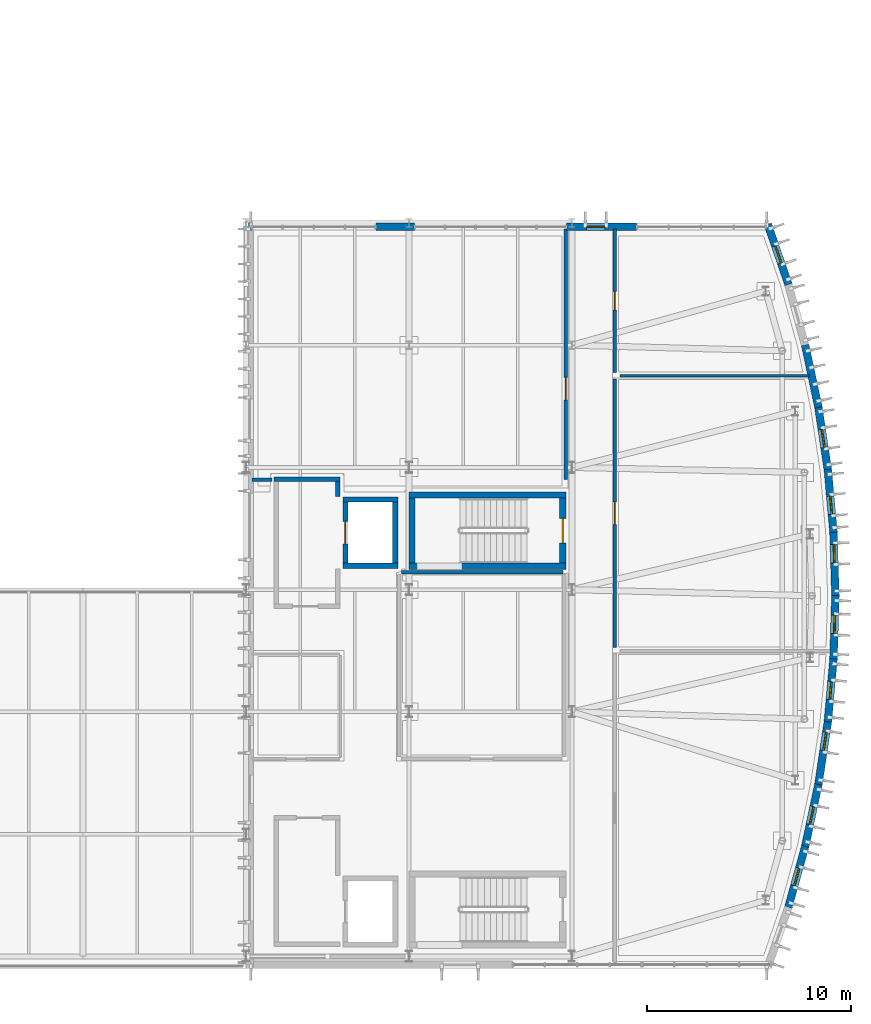
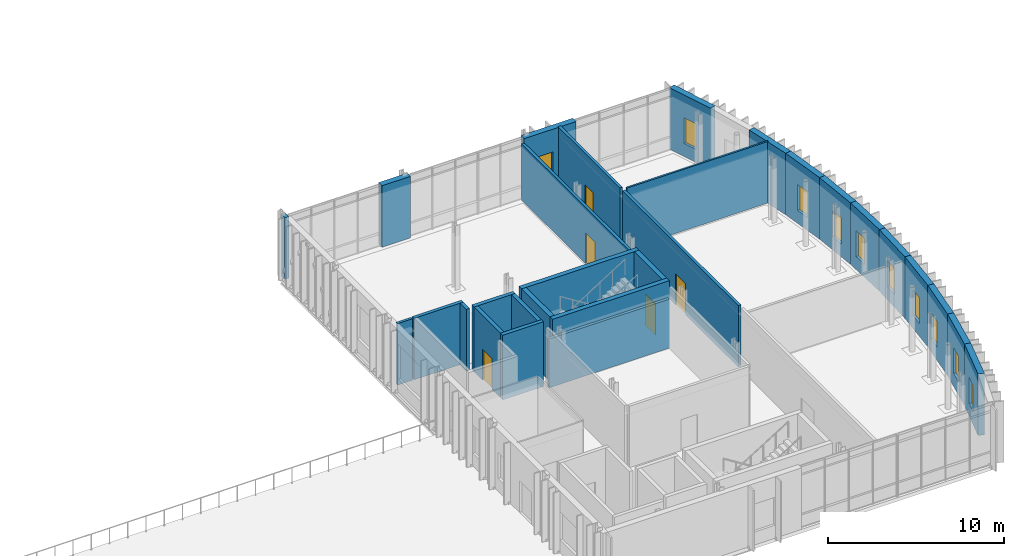
# One storey, part 46 of 62: 29 walls, 10 windows, 5 doors, 15 openings.
"""IFC4 building model written with IfcOpenShell, lengths in metres."""

from ifc_helpers import new_model, si_unit, direction, frame, frame_2d, origin, place, context, subcontext, project, spatial, rectangle, extrude, material, layer, layer_set, type_object, element, fill, save


model = new_model("IFC4")

# Units and contexts
model_context = context("Model", 3, precision=1e-05, world=origin(), true_north=direction((0.0, 1.0)))
body_context = subcontext(model_context, "Body", "Model", "MODEL_VIEW")
ifc_project = project(units=[si_unit("LENGTHUNIT", "METRE"), si_unit("AREAUNIT", "SQUARE_METRE"), si_unit("VOLUMEUNIT", "CUBIC_METRE"), si_unit("PLANEANGLEUNIT", "RADIAN"), si_unit("MASSUNIT", "GRAM", prefix="KILO")], contexts=[model_context])

# Site, building, storey
site_placement = place(None, origin())
site = spatial("IfcSite", under=ifc_project, at=site_placement, CompositionType="ELEMENT")
building_placement = place(site_placement, origin())
building = spatial("IfcBuilding", under=site, at=building_placement, Name="Cymarion Research Institute", CompositionType="ELEMENT")
storey_placement = place(building_placement, frame((0.0, 0.0, 18.300048828125)))
storey = spatial("IfcBuildingStorey", under=building, at=storey_placement, Name="L04", CompositionType="ELEMENT", Elevation=18.300048828125)

# Wall, opening, window
ifc_material_1 = material(Name="Precast concrete C40/50", Category="concrete")
ifc_layer_1 = layer(ifc_material_1, 0.3798828125)
ifc_layer_set_1 = layer_set([ifc_layer_1], Name="Precast concrete C40/50")
wall_type_1 = type_object("IfcWallType", Name="EXTERIOR WALL EW-PC380 380MM", PredefinedType="SOLIDWALL", material=ifc_layer_set_1)
wall_1_placement = place(storey_placement, frame((165.222412109375, 7.8876953125, 0.0), z_axis=(0.0, 0.0, 1.0), x_axis=(0.266536691105, 0.963824772609, 0.0)))
wall_1 = element("IfcWall", 1, at=wall_1_placement, inside=storey, type_object=wall_type_1, Name="L04 V1 exterior wall EW-PC380 #197", PredefinedType="SOLIDWALL", context=body_context, shape_type="SweptSolid", body=[
    extrude(rectangle(XDim=3.1279296875, YDim=0.3798828125, at=frame_2d((1.56396484375, 0.0))), origin(), (0.0, 0.0, 1.0), 4.280029296875),
])
opening_1_placement = place(wall_1_placement, frame((1.114013671875, 0.0, 0.89990234375)))
opening_1 = element("IfcOpeningElement", 2, at=opening_1_placement, cuts=wall_1, Name="Opening W24", PredefinedType="OPENING", context=body_context, shape_type="SweptSolid", body=[
    extrude(rectangle(XDim=0.89990234375, YDim=1.800048828125, at=frame_2d((0.449951171875, 0.89990234375))), frame((0.0, 0.199951171875, 0.0), z_axis=(0.0, -1.0, 0.0), x_axis=(1.0, 0.0, 0.0)), (0.0, 0.0, 1.0), 0.39990234375),
])
ifc_material_2 = material(Name="Thermally broken aluminium window with Low-E glazing", Category="aluminium")
window_type = type_object("IfcWindowType", Name="THERMALLY BROKEN ALUMINIUM WINDOW W24 900X1800", PartitioningType="SINGLE_PANEL", PredefinedType="WINDOW", material=ifc_material_2)
window_1_placement = place(opening_1_placement, origin())
window_1 = element("IfcWindow", 3, at=window_1_placement, inside=storey, type_object=window_type, Name="L04 V1 facade window W24 #365", OverallHeight=1.800048828125, OverallWidth=0.89990234375, PartitioningType="SINGLE_PANEL", PredefinedType="WINDOW", context=body_context, shape_type="SweptSolid", body=[
    extrude(rectangle(XDim=0.89990234375, YDim=1.800048828125, at=frame_2d((0.449951171875, 0.89990234375))), frame((0.0, 0.030029296875, 0.0), z_axis=(0.0, -1.0, 0.0), x_axis=(1.0, 0.0, 0.0)), (0.0, 0.0, 1.0), 0.06005859375),
])
fill(opening_1, window_1)

wall_2_placement = place(storey_placement, frame((166.05078125, 10.8798828125, 0.0), z_axis=(0.0, 0.0, 1.0), x_axis=(0.208287141705, 0.978067720866, 0.0)))
wall_2 = element("IfcWall", 4, at=wall_2_placement, inside=storey, type_object=wall_type_1, Name="L04 V1 exterior wall EW-PC380 #198", PredefinedType="SOLIDWALL", context=body_context, shape_type="SweptSolid", body=[
    extrude(rectangle(XDim=3.12841796875, YDim=0.3798828125, at=frame_2d((1.564208984375, 0.0))), origin(), (0.0, 0.0, 1.0), 4.280029296875),
])
opening_2_placement = place(wall_2_placement, frame((1.114013671875, 0.0, 0.89990234375)))
opening_2 = element("IfcOpeningElement", 5, at=opening_2_placement, cuts=wall_2, Name="Opening W24", PredefinedType="OPENING", context=body_context, shape_type="SweptSolid", body=[
    extrude(rectangle(XDim=0.89990234375, YDim=1.800048828125, at=frame_2d((0.449951171875, 0.89990234375))), frame((0.0, 0.199951171875, 0.0), z_axis=(0.0, -1.0, 0.0), x_axis=(1.0, 0.0, 0.0)), (0.0, 0.0, 1.0), 0.39990234375),
])
window_2_placement = place(opening_2_placement, origin())
window_2 = element("IfcWindow", 6, at=window_2_placement, inside=storey, type_object=window_type, Name="L04 V1 facade window W24 #366", OverallHeight=1.800048828125, OverallWidth=0.89990234375, PartitioningType="SINGLE_PANEL", PredefinedType="WINDOW", context=body_context, shape_type="SweptSolid", body=[
    extrude(rectangle(XDim=0.89990234375, YDim=1.800048828125, at=frame_2d((0.449951171875, 0.89990234375))), frame((0.0, 0.030029296875, 0.0), z_axis=(0.0, -1.0, 0.0), x_axis=(1.0, 0.0, 0.0)), (0.0, 0.0, 1.0), 0.06005859375),
])
fill(opening_2, window_2)

wall_3_placement = place(storey_placement, frame((166.698486328125, 13.91650390625, 0.0), z_axis=(0.0, 0.0, 1.0), x_axis=(0.149218139282, 0.988804301624, 0.0)))
wall_3 = element("IfcWall", 7, at=wall_3_placement, inside=storey, type_object=wall_type_1, Name="L04 V1 exterior wall EW-PC380 #199", PredefinedType="SOLIDWALL", context=body_context, shape_type="SweptSolid", body=[
    extrude(rectangle(XDim=3.128173828125, YDim=0.3798828125, at=frame_2d((1.56396484375, 0.0))), origin(), (0.0, 0.0, 1.0), 4.280029296875),
])
opening_3_placement = place(wall_3_placement, frame((1.7060546875, 0.0, 0.89990234375)))
opening_3 = element("IfcOpeningElement", 8, at=opening_3_placement, cuts=wall_3, Name="Opening W24", PredefinedType="OPENING", context=body_context, shape_type="SweptSolid", body=[
    extrude(rectangle(XDim=0.89990234375, YDim=1.800048828125, at=frame_2d((0.449951171875, 0.89990234375))), frame((0.0, 0.199951171875, 0.0), z_axis=(0.0, -1.0, 0.0), x_axis=(1.0, 0.0, 0.0)), (0.0, 0.0, 1.0), 0.39990234375),
])
window_3_placement = place(opening_3_placement, origin())
window_3 = element("IfcWindow", 9, at=window_3_placement, inside=storey, type_object=window_type, Name="L04 V1 facade window W24 #367", OverallHeight=1.800048828125, OverallWidth=0.89990234375, PartitioningType="SINGLE_PANEL", PredefinedType="WINDOW", context=body_context, shape_type="SweptSolid", body=[
    extrude(rectangle(XDim=0.89990234375, YDim=1.800048828125, at=frame_2d((0.449951171875, 0.89990234375))), frame((0.0, 0.030029296875, 0.0), z_axis=(0.0, -1.0, 0.0), x_axis=(1.0, 0.0, 0.0)), (0.0, 0.0, 1.0), 0.06005859375),
])
fill(opening_3, window_3)

wall_4_placement = place(storey_placement, frame((167.1630859375, 16.986572265625, 0.0), z_axis=(0.0, 0.0, 1.0), x_axis=(0.089747627339, 0.995964539222, 0.0)))
wall_4 = element("IfcWall", 10, at=wall_4_placement, inside=storey, type_object=wall_type_1, Name="L04 V1 exterior wall EW-PC380 #200", PredefinedType="SOLIDWALL", context=body_context, shape_type="SweptSolid", body=[
    extrude(rectangle(XDim=3.12841796875, YDim=0.3798828125, at=frame_2d((1.564208984375, 0.0))), origin(), (0.0, 0.0, 1.0), 4.280029296875),
])
opening_4_placement = place(wall_4_placement, frame((1.114013671875, 0.0, 0.89990234375)))
opening_4 = element("IfcOpeningElement", 11, at=opening_4_placement, cuts=wall_4, Name="Opening W24", PredefinedType="OPENING", context=body_context, shape_type="SweptSolid", body=[
    extrude(rectangle(XDim=0.89990234375, YDim=1.800048828125, at=frame_2d((0.449951171875, 0.89990234375))), frame((0.0, 0.199951171875, 0.0), z_axis=(0.0, -1.0, 0.0), x_axis=(1.0, 0.0, 0.0)), (0.0, 0.0, 1.0), 0.39990234375),
])
window_4_placement = place(opening_4_placement, origin())
window_4 = element("IfcWindow", 12, at=window_4_placement, inside=storey, type_object=window_type, Name="L04 V1 facade window W24 #368", OverallHeight=1.800048828125, OverallWidth=0.89990234375, PartitioningType="SINGLE_PANEL", PredefinedType="WINDOW", context=body_context, shape_type="SweptSolid", body=[
    extrude(rectangle(XDim=0.89990234375, YDim=1.800048828125, at=frame_2d((0.449951171875, 0.89990234375))), frame((0.0, 0.030029296875, 0.0), z_axis=(0.0, -1.0, 0.0), x_axis=(1.0, 0.0, 0.0)), (0.0, 0.0, 1.0), 0.06005859375),
])
fill(opening_4, window_4)

wall_5_placement = place(storey_placement, frame((167.44287109375, 20.078857421875, 0.0), z_axis=(0.0, 0.0, 1.0), x_axis=(0.02996779607, 0.999550864738, 0.0)))
wall_5 = element("IfcWall", 13, at=wall_5_placement, inside=storey, type_object=wall_type_1, Name="L04 V1 exterior wall EW-PC380 #201", PredefinedType="SOLIDWALL", context=body_context, shape_type="SweptSolid", body=[
    extrude(rectangle(XDim=3.12841796875, YDim=0.3798828125, at=frame_2d((1.564208984375, 0.0))), origin(), (0.0, 0.0, 1.0), 4.280029296875),
])
opening_5_placement = place(wall_5_placement, frame((1.264892578125, 0.0, 0.89990234375)))
opening_5 = element("IfcOpeningElement", 14, at=opening_5_placement, cuts=wall_5, Name="Opening W24", PredefinedType="OPENING", context=body_context, shape_type="SweptSolid", body=[
    extrude(rectangle(XDim=0.89990234375, YDim=1.800048828125, at=frame_2d((0.449951171875, 0.89990234375))), frame((0.0, 0.199951171875, 0.0), z_axis=(0.0, -1.0, 0.0), x_axis=(1.0, 0.0, 0.0)), (0.0, 0.0, 1.0), 0.39990234375),
])
window_5_placement = place(opening_5_placement, origin())
window_5 = element("IfcWindow", 15, at=window_5_placement, inside=storey, type_object=window_type, Name="L04 V1 facade window W24 #369", OverallHeight=1.800048828125, OverallWidth=0.89990234375, PartitioningType="SINGLE_PANEL", PredefinedType="WINDOW", context=body_context, shape_type="SweptSolid", body=[
    extrude(rectangle(XDim=0.89990234375, YDim=1.800048828125, at=frame_2d((0.449951171875, 0.89990234375))), frame((0.0, 0.030029296875, 0.0), z_axis=(0.0, -1.0, 0.0), x_axis=(1.0, 0.0, 0.0)), (0.0, 0.0, 1.0), 0.06005859375),
])
fill(opening_5, window_5)

wall_6_placement = place(storey_placement, frame((167.536865234375, 23.182373046875, 0.0), z_axis=(0.0, 0.0, 1.0), x_axis=(-0.029970133922, 0.999550794644, 0.0)))
wall_6 = element("IfcWall", 16, at=wall_6_placement, inside=storey, type_object=wall_type_1, Name="L04 V1 exterior wall EW-PC380 #202", PredefinedType="SOLIDWALL", context=body_context, shape_type="SweptSolid", body=[
    extrude(rectangle(XDim=3.128173828125, YDim=0.3798828125, at=frame_2d((1.56396484375, 0.0))), origin(), (0.0, 0.0, 1.0), 4.280029296875),
])
opening_6_placement = place(wall_6_placement, frame((1.637939453125, 0.0, 0.89990234375)))
opening_6 = element("IfcOpeningElement", 17, at=opening_6_placement, cuts=wall_6, Name="Opening W24", PredefinedType="OPENING", context=body_context, shape_type="SweptSolid", body=[
    extrude(rectangle(XDim=0.89990234375, YDim=1.800048828125, at=frame_2d((0.449951171875, 0.89990234375))), frame((0.0, 0.199951171875, 0.0), z_axis=(0.0, -1.0, 0.0), x_axis=(1.0, 0.0, 0.0)), (0.0, 0.0, 1.0), 0.39990234375),
])
window_6_placement = place(opening_6_placement, origin())
window_6 = element("IfcWindow", 18, at=window_6_placement, inside=storey, type_object=window_type, Name="L04 V1 facade window W24 #370", OverallHeight=1.800048828125, OverallWidth=0.89990234375, PartitioningType="SINGLE_PANEL", PredefinedType="WINDOW", context=body_context, shape_type="SweptSolid", body=[
    extrude(rectangle(XDim=0.89990234375, YDim=1.800048828125, at=frame_2d((0.449951171875, 0.89990234375))), frame((0.0, 0.030029296875, 0.0), z_axis=(0.0, -1.0, 0.0), x_axis=(1.0, 0.0, 0.0)), (0.0, 0.0, 1.0), 0.06005859375),
])
fill(opening_6, window_6)

wall_7_placement = place(storey_placement, frame((167.44482421875, 26.285888671875, 0.0), z_axis=(0.0, 0.0, 1.0), x_axis=(-0.089747627339, 0.995964539222, 0.0)))
wall_7 = element("IfcWall", 19, at=wall_7_placement, inside=storey, type_object=wall_type_1, Name="L04 V1 exterior wall EW-PC380 #203", PredefinedType="SOLIDWALL", context=body_context, shape_type="SweptSolid", body=[
    extrude(rectangle(XDim=3.12841796875, YDim=0.3798828125, at=frame_2d((1.564208984375, 0.0))), origin(), (0.0, 0.0, 1.0), 4.280029296875),
])
opening_7_placement = place(wall_7_placement, frame((0.91796875, 0.0, 0.89990234375)))
opening_7 = element("IfcOpeningElement", 20, at=opening_7_placement, cuts=wall_7, Name="Opening W24", PredefinedType="OPENING", context=body_context, shape_type="SweptSolid", body=[
    extrude(rectangle(XDim=0.89990234375, YDim=1.800048828125, at=frame_2d((0.449951171875, 0.89990234375))), frame((0.0, 0.199951171875, 0.0), z_axis=(0.0, -1.0, 0.0), x_axis=(1.0, 0.0, 0.0)), (0.0, 0.0, 1.0), 0.39990234375),
])
window_7_placement = place(opening_7_placement, origin())
window_7 = element("IfcWindow", 21, at=window_7_placement, inside=storey, type_object=window_type, Name="L04 V1 facade window W24 #371", OverallHeight=1.800048828125, OverallWidth=0.89990234375, PartitioningType="SINGLE_PANEL", PredefinedType="WINDOW", context=body_context, shape_type="SweptSolid", body=[
    extrude(rectangle(XDim=0.89990234375, YDim=1.800048828125, at=frame_2d((0.449951171875, 0.89990234375))), frame((0.0, 0.030029296875, 0.0), z_axis=(0.0, -1.0, 0.0), x_axis=(1.0, 0.0, 0.0)), (0.0, 0.0, 1.0), 0.06005859375),
])
fill(opening_7, window_7)

wall_8_placement = place(storey_placement, frame((167.167236328125, 29.37841796875, 0.0), z_axis=(0.0, 0.0, 1.0), x_axis=(-0.149305964746, 0.988791044099, 0.0)))
wall_8 = element("IfcWall", 22, at=wall_8_placement, inside=storey, type_object=wall_type_1, Name="L04 V1 exterior wall EW-PC380 #204", PredefinedType="SOLIDWALL", context=body_context, shape_type="SweptSolid", body=[
    extrude(rectangle(XDim=3.128173828125, YDim=0.3798828125, at=frame_2d((1.56396484375, 0.0))), origin(), (0.0, 0.0, 1.0), 4.280029296875),
])
opening_8_placement = place(wall_8_placement, frame((1.114013671875, 0.0, 0.89990234375)))
opening_8 = element("IfcOpeningElement", 23, at=opening_8_placement, cuts=wall_8, Name="Opening W24", PredefinedType="OPENING", context=body_context, shape_type="SweptSolid", body=[
    extrude(rectangle(XDim=0.89990234375, YDim=1.800048828125, at=frame_2d((0.449951171875, 0.89990234375))), frame((0.0, 0.199951171875, 0.0), z_axis=(0.0, -1.0, 0.0), x_axis=(1.0, 0.0, 0.0)), (0.0, 0.0, 1.0), 0.39990234375),
])
window_8_placement = place(opening_8_placement, origin())
window_8 = element("IfcWindow", 24, at=window_8_placement, inside=storey, type_object=window_type, Name="L04 V1 facade window W24 #372", OverallHeight=1.800048828125, OverallWidth=0.89990234375, PartitioningType="SINGLE_PANEL", PredefinedType="WINDOW", context=body_context, shape_type="SweptSolid", body=[
    extrude(rectangle(XDim=0.89990234375, YDim=1.800048828125, at=frame_2d((0.449951171875, 0.89990234375))), frame((0.0, 0.030029296875, 0.0), z_axis=(0.0, -1.0, 0.0), x_axis=(1.0, 0.0, 0.0)), (0.0, 0.0, 1.0), 0.06005859375),
])
fill(opening_8, window_8)

# Wall
wall_9_placement = place(storey_placement, frame((166.704833984375, 32.448486328125, 0.0), z_axis=(0.0, 0.0, 1.0), x_axis=(-0.208212486116, 0.978083616377, 0.0)))
element("IfcWall", 25, at=wall_9_placement, inside=storey, type_object=wall_type_1, Name="L04 V1 exterior wall EW-PC380 #205", PredefinedType="SOLIDWALL", context=body_context, shape_type="SweptSolid", body=[
    extrude(rectangle(XDim=3.12841796875, YDim=0.3798828125, at=frame_2d((1.564208984375, 0.0))), origin(), (0.0, 0.0, 1.0), 4.280029296875),
])

# Wall, opening, window
wall_10_placement = place(storey_placement, frame((165.23291015625, 38.478515625, 0.0), z_axis=(0.0, 0.0, 1.0), x_axis=(-0.323709741108, 0.946156437124, 0.0)))
wall_10 = element("IfcWall", 26, at=wall_10_placement, inside=storey, type_object=wall_type_1, Name="L04 V1 exterior wall EW-PC380 #207", PredefinedType="SOLIDWALL", context=body_context, shape_type="SweptSolid", body=[
    extrude(rectangle(XDim=3.12841796875, YDim=0.3798828125, at=frame_2d((1.564208984375, 0.0))), origin(), (0.0, 0.0, 1.0), 4.280029296875),
])
opening_9_placement = place(wall_10_placement, frame((1.114013671875, 0.0, 0.89990234375)))
opening_9 = element("IfcOpeningElement", 27, at=opening_9_placement, cuts=wall_10, Name="Opening W24", PredefinedType="OPENING", context=body_context, shape_type="SweptSolid", body=[
    extrude(rectangle(XDim=0.89990234375, YDim=1.800048828125, at=frame_2d((0.449951171875, 0.89990234375))), frame((0.0, 0.199951171875, 0.0), z_axis=(0.0, -1.0, 0.0), x_axis=(1.0, 0.0, 0.0)), (0.0, 0.0, 1.0), 0.39990234375),
])
window_9_placement = place(opening_9_placement, origin())
window_9 = element("IfcWindow", 28, at=window_9_placement, inside=storey, type_object=window_type, Name="L04 V1 facade window W24 #374", OverallHeight=1.800048828125, OverallWidth=0.89990234375, PartitioningType="SINGLE_PANEL", PredefinedType="WINDOW", context=body_context, shape_type="SweptSolid", body=[
    extrude(rectangle(XDim=0.89990234375, YDim=1.800048828125, at=frame_2d((0.449951171875, 0.89990234375))), frame((0.0, 0.030029296875, 0.0), z_axis=(0.0, -1.0, 0.0), x_axis=(1.0, 0.0, 0.0)), (0.0, 0.0, 1.0), 0.06005859375),
])
fill(opening_9, window_9)

wall_11_placement = place(storey_placement, frame((157.759765625, 41.31005859375, 0.0), z_axis=(0.0, 0.0, 1.0), x_axis=(-1.0, 0.0, 0.0)))
wall_11 = element("IfcWall", 29, at=wall_11_placement, inside=storey, type_object=wall_type_1, Name="L04 V1 facade pier wall EW-PC380 #208", PredefinedType="SOLIDWALL", context=body_context, shape_type="SweptSolid", body=[
    extrude(rectangle(XDim=3.419677734375, YDim=0.3798828125, at=frame_2d((1.7099609375, 0.0))), origin(), (0.0, 0.0, 1.0), 4.280029296875),
])
opening_10_placement = place(wall_11_placement, frame((1.5400390625, 0.0, 0.89990234375)))
opening_10 = element("IfcOpeningElement", 30, at=opening_10_placement, cuts=wall_11, Name="Opening W24", PredefinedType="OPENING", context=body_context, shape_type="SweptSolid", body=[
    extrude(rectangle(XDim=0.89990234375, YDim=1.800048828125, at=frame_2d((0.449951171875, 0.89990234375))), frame((0.0, 0.199951171875, 0.0), z_axis=(0.0, -1.0, 0.0), x_axis=(1.0, 0.0, 0.0)), (0.0, 0.0, 1.0), 0.39990234375),
])
window_10_placement = place(opening_10_placement, origin())
window_10 = element("IfcWindow", 31, at=window_10_placement, inside=storey, type_object=window_type, Name="L04 V1 facade window W24 #375", OverallHeight=1.800048828125, OverallWidth=0.89990234375, PartitioningType="SINGLE_PANEL", PredefinedType="WINDOW", context=body_context, shape_type="SweptSolid", body=[
    extrude(rectangle(XDim=0.89990234375, YDim=1.800048828125, at=frame_2d((0.449951171875, 0.89990234375))), frame((0.0, 0.030029296875, 0.0), z_axis=(0.0, -1.0, 0.0), x_axis=(1.0, 0.0, 0.0)), (0.0, 0.0, 1.0), 0.06005859375),
])
fill(opening_10, window_10)

# Walls
wall_12_placement = place(storey_placement, frame((146.860107421875, 41.31005859375, 0.0), z_axis=(0.0, 0.0, 1.0), x_axis=(-1.0, 0.0, 0.0)))
element("IfcWall", 32, at=wall_12_placement, inside=storey, type_object=wall_type_1, Name="L04 V1 facade pier wall EW-PC380 #209", PredefinedType="SOLIDWALL", context=body_context, shape_type="SweptSolid", body=[
    extrude(rectangle(XDim=1.87353515625, YDim=0.3798828125, at=frame_2d((0.936767578125, 0.0))), origin(), (0.0, 0.0, 1.0), 4.280029296875),
])
wall_13_placement = place(storey_placement, frame((138.860107421875, 41.31005859375, 0.0), z_axis=(0.0, 0.0, 1.0), x_axis=(-1.0, 0.0, 0.0)))
element("IfcWall", 33, at=wall_13_placement, inside=storey, type_object=wall_type_1, Name="L04 V1 facade pier wall EW-PC380 #210", PredefinedType="SOLIDWALL", context=body_context, shape_type="SweptSolid", body=[
    extrude(rectangle(XDim=0.260009765625, YDim=0.3798828125, at=frame_2d((0.1298828125, 0.0))), origin(), (0.0, 0.0, 1.0), 4.280029296875),
])

# Wall, opening, door
ifc_material_3 = material(Name="Moisture-resistant laboratory partition", Category="gypsum")
ifc_layer_2 = layer(ifc_material_3, 0.179931640625)
ifc_layer_set_2 = layer_set([ifc_layer_2], Name="Moisture-resistant laboratory partition")
wall_type_2 = type_object("IfcWallType", Name="INTERIOR PARTITION IW-LB180 180MM", PredefinedType="PARTITIONING", material=ifc_layer_set_2)
wall_14_placement = place(storey_placement, frame((156.699951171875, 20.659912109375, 0.0), z_axis=(0.0, 0.0, 1.0), x_axis=(0.0, 1.0, 0.0)))
wall_14 = element("IfcWall", 34, at=wall_14_placement, inside=storey, type_object=wall_type_2, Name="L04 V1 interior partition IW-LB180 #269", PredefinedType="PARTITIONING", context=body_context, shape_type="SweptSolid", body=[
    extrude(rectangle(XDim=13.18017578125, YDim=0.179931640625, at=frame_2d((6.590087890625, 0.0))), origin(), (0.0, 0.0, 1.0), 4.280029296875),
])
opening_11_placement = place(wall_14_placement, frame((6.0400390625, 0.0, 0.0)))
opening_11 = element("IfcOpeningElement", 35, at=opening_11_placement, cuts=wall_14, Name="Opening D-L04-172", PredefinedType="OPENING", context=body_context, shape_type="SweptSolid", body=[
    extrude(rectangle(XDim=1.10009765625, YDim=2.14990234375, at=frame_2d((0.550048828125, 1.074951171875))), frame((0.0, 0.099853515625, 0.0), z_axis=(0.0, -1.0, 0.0), x_axis=(1.0, 0.0, 0.0)), (0.0, 0.0, 1.0), 0.199951171875),
])
ifc_material_4 = material(Name="Flush acoustic timber/steel door assembly", Category="steel")
door_type_1 = type_object("IfcDoorType", Name="LABORATORY WIDE SINGLE DOOR DT-LB110 1100X2150", OperationType="NOTDEFINED", PredefinedType="DOOR", material=ifc_material_4)
door_1_placement = place(opening_11_placement, origin())
door_1 = element("IfcDoor", 36, at=door_1_placement, inside=storey, type_object=door_type_1, Name="L04 Prow Lab M door D-L04-172", OperationType="SINGLE_SWING_LEFT", OverallHeight=2.14990234375, OverallWidth=1.10009765625, PredefinedType="DOOR", context=body_context, shape_type="SweptSolid", body=[
    extrude(rectangle(XDim=1.10009765625, YDim=2.14990234375, at=frame_2d((0.550048828125, 1.074951171875))), frame((0.0, 0.02490234375, 0.0), z_axis=(0.0, -1.0, 0.0), x_axis=(1.0, 0.0, 0.0)), (0.0, 0.0, 1.0), 0.050048828125),
])
fill(opening_11, door_1)

wall_15_placement = place(storey_placement, frame((156.699951171875, 34.159912109375, 0.0), z_axis=(0.0, 0.0, 1.0), x_axis=(0.0, 1.0, 0.0)))
wall_15 = element("IfcWall", 37, at=wall_15_placement, inside=storey, type_object=wall_type_2, Name="L04 V1 interior partition IW-LB180 #270", PredefinedType="PARTITIONING", context=body_context, shape_type="SweptSolid", body=[
    extrude(rectangle(XDim=7.03515625, YDim=0.179931640625, at=frame_2d((3.517578125, 0.0))), origin(), (0.0, 0.0, 1.0), 4.280029296875),
])
opening_12_placement = place(wall_15_placement, frame((3.06689453125, 0.0, 0.0)))
opening_12 = element("IfcOpeningElement", 38, at=opening_12_placement, cuts=wall_15, Name="Opening D-L04-173", PredefinedType="OPENING", context=body_context, shape_type="SweptSolid", body=[
    extrude(rectangle(XDim=0.89990234375, YDim=2.10009765625, at=frame_2d((0.449951171875, 1.050048828125))), frame((0.0, 0.099853515625, 0.0), z_axis=(0.0, -1.0, 0.0), x_axis=(1.0, 0.0, 0.0)), (0.0, 0.0, 1.0), 0.199951171875),
])
door_type_2 = type_object("IfcDoorType", Name="ACCESSIBLE RESTROOM DOOR DT-WC090 900X2100", OperationType="NOTDEFINED", PredefinedType="DOOR", material=ifc_material_4)
door_2_placement = place(opening_12_placement, origin())
door_2 = element("IfcDoor", 39, at=door_2_placement, inside=storey, type_object=door_type_2, Name="L04 Accessible WC door D-L04-173", OperationType="SINGLE_SWING_RIGHT", OverallHeight=2.10009765625, OverallWidth=0.89990234375, PredefinedType="DOOR", context=body_context, shape_type="SweptSolid", body=[
    extrude(rectangle(XDim=0.89990234375, YDim=2.10009765625, at=frame_2d((0.449951171875, 1.050048828125))), frame((0.0, 0.02490234375, 0.0), z_axis=(0.0, -1.0, 0.0), x_axis=(1.0, 0.0, 0.0)), (0.0, 0.0, 1.0), 0.050048828125),
])
fill(opening_12, door_2)

# Walls
wall_16_placement = place(storey_placement, frame((146.239990234375, 24.35009765625, 0.0), z_axis=(0.0, 0.0, 1.0), x_axis=(1.0, 0.0, 0.0)))
element("IfcWall", 40, at=wall_16_placement, inside=storey, type_object=wall_type_2, Name="L04 V1 interior partition IW-LB180 #275", PredefinedType="PARTITIONING", context=body_context, shape_type="SweptSolid", body=[
    extrude(rectangle(XDim=7.909912109375, YDim=0.179931640625, at=frame_2d((3.955078125, 0.0))), origin(), (0.0, 0.0, 1.0), 3.409912109375),
])
wall_17_placement = place(storey_placement, frame((138.905029296875, 28.89990234375, 0.0), z_axis=(0.0, 0.0, 1.0), x_axis=(1.0, 0.0, 0.0)))
element("IfcWall", 41, at=wall_17_placement, inside=storey, type_object=wall_type_2, Name="L04 V1 interior partition IW-LB180 #278", PredefinedType="PARTITIONING", context=body_context, shape_type="SweptSolid", body=[
    extrude(rectangle(XDim=0.974853515625, YDim=0.179931640625, at=frame_2d((0.4873046875, 0.0))), origin(), (0.0, 0.0, 1.0), 4.280029296875),
])

# Wall, opening, door
wall_18_placement = place(storey_placement, frame((154.300048828125, 28.89990234375, 0.0), z_axis=(0.0, 0.0, 1.0), x_axis=(0.0, 1.0, 0.0)))
wall_18 = element("IfcWall", 42, at=wall_18_placement, inside=storey, type_object=wall_type_2, Name="L04 V1 interior partition IW-LB180 #279", PredefinedType="PARTITIONING", context=body_context, shape_type="SweptSolid", body=[
    extrude(rectangle(XDim=12.295166015625, YDim=0.179931640625, at=frame_2d((6.1474609375, 0.0))), origin(), (0.0, 0.0, 1.0), 3.929931640625),
])
opening_13_placement = place(wall_18_placement, frame((3.91796875, 0.0, 0.0)))
opening_13 = element("IfcOpeningElement", 43, at=opening_13_placement, cuts=wall_18, Name="Opening D-L04-176", PredefinedType="OPENING", context=body_context, shape_type="SweptSolid", body=[
    extrude(rectangle(XDim=1.10009765625, YDim=2.14990234375, at=frame_2d((0.550048828125, 1.074951171875))), frame((0.0, 0.099853515625, 0.0), z_axis=(0.0, -1.0, 0.0), x_axis=(1.0, 0.0, 0.0)), (0.0, 0.0, 1.0), 0.199951171875),
])
door_3_placement = place(opening_13_placement, origin())
door_3 = element("IfcDoor", 44, at=door_3_placement, inside=storey, type_object=door_type_1, Name="L04 North Genomics Lab door D-L04-176", OperationType="SINGLE_SWING_LEFT", OverallHeight=2.14990234375, OverallWidth=1.10009765625, PredefinedType="DOOR", context=body_context, shape_type="SweptSolid", body=[
    extrude(rectangle(XDim=1.10009765625, YDim=2.14990234375, at=frame_2d((0.550048828125, 1.074951171875))), frame((0.0, 0.02490234375, 0.0), z_axis=(0.0, -1.0, 0.0), x_axis=(1.0, 0.0, 0.0)), (0.0, 0.0, 1.0), 0.050048828125),
])
fill(opening_13, door_3)

# Walls
ifc_material_5 = material(Name="Service riser shaft wall", Category="gypsum")
ifc_layer_3 = layer(ifc_material_5, 0.1201171875)
ifc_layer_set_3 = layer_set([ifc_layer_3], Name="Service riser shaft wall")
wall_type_3 = type_object("IfcWallType", Name="INTERIOR PARTITION IW-SH120 120MM", PredefinedType="PARTITIONING", material=ifc_layer_set_3)
wall_19_placement = place(storey_placement, frame((156.949951171875, 34.0, 0.0), z_axis=(0.0, 0.0, 1.0), x_axis=(1.0, 0.0, 0.0)))
element("IfcWall", 45, at=wall_19_placement, inside=storey, type_object=wall_type_3, Name="L04 V1 interior partition IW-SH120 #267", PredefinedType="PARTITIONING", context=body_context, shape_type="SweptSolid", body=[
    extrude(rectangle(XDim=9.306884765625, YDim=0.1201171875, at=frame_2d((4.6533203125, 0.0))), origin(), (0.0, 0.0, 1.0), 4.280029296875),
])
ifc_material_6 = material(Name="Concrete C40/50", Category="concrete")
ifc_layer_4 = layer(ifc_material_6, 0.219970703125)
ifc_layer_set_4 = layer_set([ifc_layer_4], Name="Concrete C40/50")
wall_type_4 = type_object("IfcWallType", Name="REINFORCED CONCRETE CORE WALL CW-FF220 220MM", PredefinedType="SOLIDWALL", material=ifc_layer_set_4)
wall_20_placement = place(storey_placement, frame((143.219970703125, 28.909912109375, 0.0), z_axis=(0.0, 0.0, 1.0), x_axis=(-1.0, 0.0, 0.0)))
element("IfcWall", 46, at=wall_20_placement, inside=storey, type_object=wall_type_4, Name="L04 FFL-LF2-L04 north core wall", PredefinedType="SOLIDWALL", context=body_context, shape_type="SweptSolid", body=[
    extrude(rectangle(XDim=3.239990234375, YDim=0.219970703125, at=frame_2d((1.6201171875, 0.0))), origin(), (0.0, 0.0, 1.0), 4.280029296875),
])
wall_21_placement = place(storey_placement, frame((143.110107421875, 28.080078125, 0.0), z_axis=(0.0, 0.0, 1.0), x_axis=(0.0, 1.0, 0.0)))
element("IfcWall", 47, at=wall_21_placement, inside=storey, type_object=wall_type_4, Name="Core C2 firefighting lobby east closure wall L04 #2", PredefinedType="SOLIDWALL", context=body_context, shape_type="SweptSolid", body=[
    extrude(rectangle(XDim=0.719970703125, YDim=0.219970703125, at=frame_2d((0.35986328125, 0.0))), origin(), (0.0, 0.0, 1.0), 4.280029296875),
])
ifc_layer_5 = layer(ifc_material_6, 0.25)
ifc_layer_set_5 = layer_set([ifc_layer_5], Name="Concrete C40/50")
wall_type_5 = type_object("IfcWallType", Name="REINFORCED CONCRETE CORE WALL CW-SH250 250MM", PredefinedType="SHEAR", material=ifc_layer_set_5)
for number, where, z_axis, x_axis, name in (
    (48, (143.35009765625, 24.675048828125, 0.0), (0.0, 0.0, 1.0), (1.0, 0.0, 0.0), "L04 LSH-LF2-L04 south core wall"),
    (49, (146.050048828125, 27.925048828125, 0.0), (0.0, 0.0, 1.0), (-1.0, 0.0, 0.0), "L04 LSH-LF2-L04 north core wall"),
):
    element("IfcWall", number, at=place(storey_placement, frame(where, z_axis=z_axis, x_axis=x_axis)), inside=storey, type_object=wall_type_5, Name=name, PredefinedType="SHEAR", context=body_context, shape_type="SweptSolid", body=[
        extrude(rectangle(XDim=2.699951171875, YDim=0.25, at=frame_2d((1.35009765625, 0.0))), origin(), (0.0, 0.0, 1.0), 4.5),
    ])

# Wall, opening, door
wall_22_placement = place(storey_placement, frame((143.47509765625, 27.800048828125, 0.0), z_axis=(0.0, 0.0, 1.0), x_axis=(0.0, -1.0, 0.0)))
wall_22 = element("IfcWall", 50, at=wall_22_placement, inside=storey, type_object=wall_type_5, Name="L04 LSH-LF2-L04 west core wall", PredefinedType="SHEAR", context=body_context, shape_type="SweptSolid", body=[
    extrude(rectangle(XDim=3.0, YDim=0.25, at=frame_2d((1.5, 0.0))), origin(), (0.0, 0.0, 1.0), 4.5),
])
opening_14_placement = place(wall_22_placement, frame((0.949951171875, 0.0, 0.0)))
opening_14 = element("IfcOpeningElement", 51, at=opening_14_placement, cuts=wall_22, Name="Opening LD-LF2-L04", PredefinedType="OPENING", context=body_context, shape_type="SweptSolid", body=[
    extrude(rectangle(XDim=1.10009765625, YDim=2.14990234375, at=frame_2d((0.550048828125, 1.074951171875))), frame((0.0, 0.135009765625, 0.0), z_axis=(0.0, -1.0, 0.0), x_axis=(1.0, 0.0, 0.0)), (0.0, 0.0, 1.0), 0.27001953125),
])
ifc_material_7 = material(Name="Fire-rated insulated steel door assembly", Category="steel")
door_type_3 = type_object("IfcDoorType", Name="SLIDING LIFT LANDING DOOR DT-LD110 1100X2150", OperationType="DOUBLE_DOOR_SLIDING", PredefinedType="DOOR", material=ifc_material_7)
door_4_placement = place(opening_14_placement, origin())
door_4 = element("IfcDoor", 52, at=door_4_placement, inside=storey, type_object=door_type_3, Name="Lift LF2 landing door L04", OperationType="DOUBLE_DOOR_SLIDING", OverallHeight=2.14990234375, OverallWidth=1.10009765625, PredefinedType="DOOR", context=body_context, shape_type="SweptSolid", body=[
    extrude(rectangle(XDim=1.10009765625, YDim=2.14990234375, at=frame_2d((0.550048828125, 1.074951171875))), frame((0.0, 0.02490234375, 0.0), z_axis=(0.0, -1.0, 0.0), x_axis=(1.0, 0.0, 0.0)), (0.0, 0.0, 1.0), 0.050048828125),
])
fill(opening_14, door_4)

# Walls
wall_23_placement = place(storey_placement, frame((145.925048828125, 24.800048828125, 0.0), z_axis=(0.0, 0.0, 1.0), x_axis=(0.0, 1.0, 0.0)))
element("IfcWall", 53, at=wall_23_placement, inside=storey, type_object=wall_type_5, Name="L04 LSH-LF2-L04 east core wall", PredefinedType="SHEAR", context=body_context, shape_type="SweptSolid", body=[
    extrude(rectangle(XDim=3.0, YDim=0.25, at=frame_2d((1.5, 0.0))), origin(), (0.0, 0.0, 1.0), 4.5),
])
ifc_layer_6 = layer(ifc_material_6, 0.300048828125)
ifc_layer_set_6 = layer_set([ifc_layer_6], Name="Concrete C40/50")
wall_type_6 = type_object("IfcWallType", Name="REINFORCED CONCRETE CORE WALL CW-SH300 300MM", PredefinedType="SHEAR", material=ifc_layer_set_6)
for number, where, z_axis, x_axis, name in (
    (54, (146.60009765625, 24.64990234375, 0.0), (0.0, 0.0, 1.0), (1.0, 0.0, 0.0), "L04 SHW-C2-L04 south core wall"),
    (55, (154.300048828125, 28.14990234375, 0.0), (0.0, 0.0, 1.0), (-1.0, 0.0, 0.0), "L04 SHW-C2-L04 north core wall"),
):
    element("IfcWall", number, at=place(storey_placement, frame(where, z_axis=z_axis, x_axis=x_axis)), inside=storey, type_object=wall_type_6, Name=name, PredefinedType="SHEAR", context=body_context, shape_type="SweptSolid", body=[
        extrude(rectangle(XDim=7.699951171875, YDim=0.300048828125, at=frame_2d((3.85009765625, 0.0))), origin(), (0.0, 0.0, 1.0), 4.5),
    ])
wall_24_placement = place(storey_placement, frame((146.75, 28.0, 0.0), z_axis=(0.0, 0.0, 1.0), x_axis=(0.0, -1.0, 0.0)))
element("IfcWall", 56, at=wall_24_placement, inside=storey, type_object=wall_type_6, Name="L04 SHW-C2-L04 west core wall", PredefinedType="SHEAR", context=body_context, shape_type="SweptSolid", body=[
    extrude(rectangle(XDim=3.199951171875, YDim=0.300048828125, at=frame_2d((1.60009765625, 0.0))), origin(), (0.0, 0.0, 1.0), 4.5),
])

# Wall, opening, door
wall_25_placement = place(storey_placement, frame((154.14990234375, 24.800048828125, 0.0), z_axis=(0.0, 0.0, 1.0), x_axis=(0.0, 1.0, 0.0)))
wall_25 = element("IfcWall", 57, at=wall_25_placement, inside=storey, type_object=wall_type_6, Name="L04 SHW-C2-L04 east core wall", PredefinedType="SHEAR", context=body_context, shape_type="SweptSolid", body=[
    extrude(rectangle(XDim=3.199951171875, YDim=0.300048828125, at=frame_2d((1.60009765625, 0.0))), origin(), (0.0, 0.0, 1.0), 4.5),
])
opening_15_placement = place(wall_25_placement, frame((1.0, 0.0, 0.0)))
opening_15 = element("IfcOpeningElement", 58, at=opening_15_placement, cuts=wall_25, Name="Opening FD-L04-ST2", PredefinedType="OPENING", context=body_context, shape_type="SweptSolid", body=[
    extrude(rectangle(XDim=1.199951171875, YDim=2.14990234375, at=frame_2d((0.60009765625, 1.074951171875))), frame((0.0, 0.159912109375, 0.0), z_axis=(0.0, -1.0, 0.0), x_axis=(1.0, 0.0, 0.0)), (0.0, 0.0, 1.0), 0.320068359375),
])
door_type_4 = type_object("IfcDoorType", Name="SMOKE PROOF STAIR FIRE DOOR DT-ST120 1200X2150", OperationType="NOTDEFINED", PredefinedType="DOOR", material=ifc_material_7)
door_5_placement = place(opening_15_placement, origin())
door_5 = element("IfcDoor", 59, at=door_5_placement, inside=storey, type_object=door_type_4, Name="L04 ST2 smoke-proof stair door FD-L04-ST2", OperationType="SINGLE_SWING_LEFT", OverallHeight=2.14990234375, OverallWidth=1.199951171875, PredefinedType="DOOR", context=body_context, shape_type="SweptSolid", body=[
    extrude(rectangle(XDim=1.199951171875, YDim=2.14990234375, at=frame_2d((0.60009765625, 1.074951171875))), frame((0.0, 0.02490234375, 0.0), z_axis=(0.0, -1.0, 0.0), x_axis=(1.0, 0.0, 0.0)), (0.0, 0.0, 1.0), 0.050048828125),
])
fill(opening_15, door_5)

save(model, "model.ifc")
